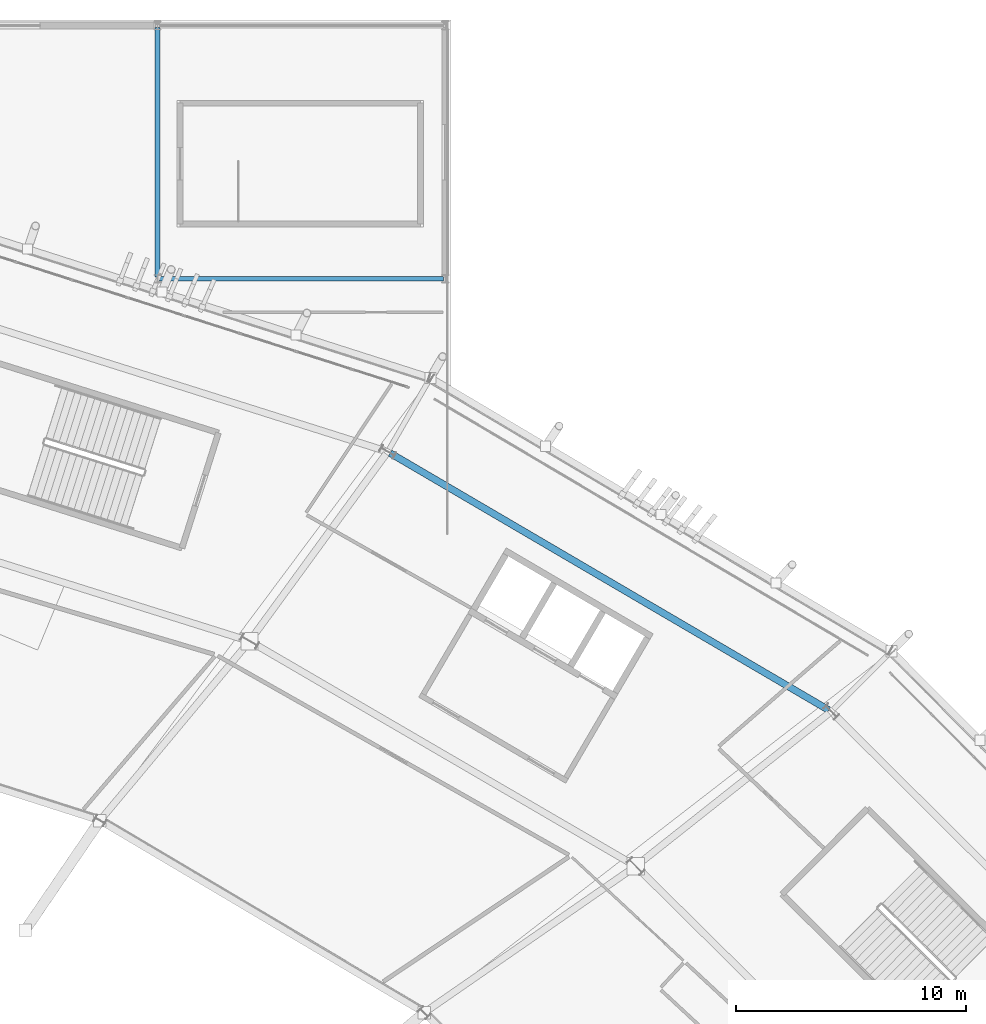
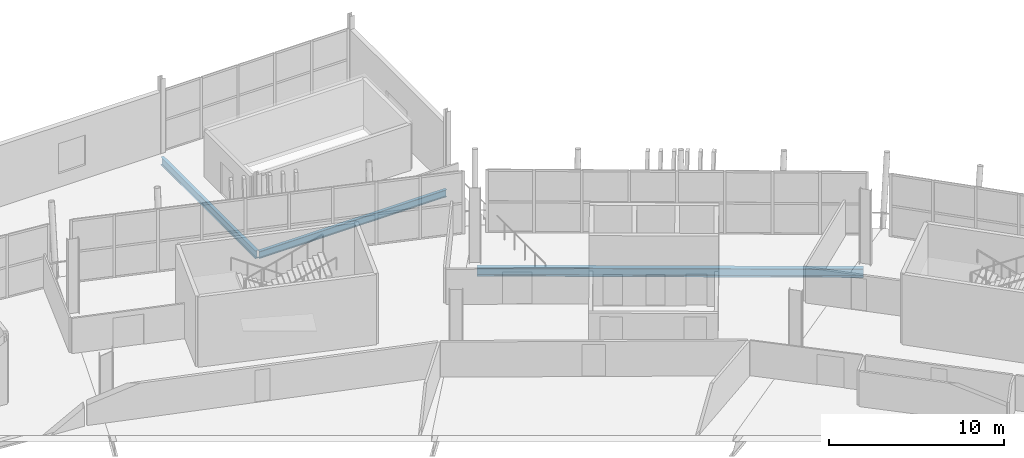
# One storey, part 77 of 168: 3 beams.
"""IFC4 building model written with IfcOpenShell, lengths in metres."""

from ifc_helpers import new_model, si_unit, direction, frame, origin, origin_2d, place, context, subcontext, project, spatial, i_section, extrude, material, material_profile, profile_set, type_object, element, save


model = new_model("IFC4")

# Units and contexts
model_context = context("Model", 3, precision=1e-05, world=origin(), true_north=direction((0.0, 1.0)))
body_context = subcontext(model_context, "Body", "Model", "MODEL_VIEW")
ifc_project = project(units=[si_unit("LENGTHUNIT", "METRE"), si_unit("AREAUNIT", "SQUARE_METRE"), si_unit("VOLUMEUNIT", "CUBIC_METRE"), si_unit("PLANEANGLEUNIT", "RADIAN"), si_unit("MASSUNIT", "GRAM", prefix="KILO")], contexts=[model_context])

# Site, building, storey
site_placement = place(None, origin())
site = spatial("IfcSite", under=ifc_project, at=site_placement, CompositionType="ELEMENT")
building_placement = place(site_placement, origin())
building = spatial("IfcBuilding", under=site, at=building_placement, Name="Zlatoyarsky Gate Stadium", CompositionType="ELEMENT")
storey_placement = place(building_placement, frame((0.0, 0.0, 15.60009765625)))
storey = spatial("IfcBuildingStorey", under=building, at=storey_placement, Name="L03", CompositionType="ELEMENT", Elevation=15.60009765625)

# Beams
ifc_material = material(Name="Steel S355", Category="steel")
ifc_material_profile_1 = material_profile(ifc_material, i_section(OverallWidth=0.199951171875, OverallDepth=0.5, WebThickness=0.01025390625, FlangeThickness=0.01611328125, FilletRadius=0.02099609375, at=origin_2d()), Name="IPE 500")
ifc_profile_set_1 = profile_set([ifc_material_profile_1], Name="Steel S355")
beam_type_1 = type_object("IfcBeamType", Name="STEEL FLOOR BEAM IPE 500", PredefinedType="BEAM", material=ifc_profile_set_1)
beam_1_placement = place(storey_placement, frame((147.580078125, 149.0, -0.530029296875), z_axis=(1.0, 0.0, 0.0), x_axis=(0.0, 1.0, 0.0)))
element("IfcBeam", 1, at=beam_1_placement, inside=storey, type_object=beam_type_1, Name="Beam B-IPE500 BM-L03-WGX-13-P", PredefinedType="BEAM", context=body_context, shape_type="SweptSolid", body=[
    extrude(i_section(OverallWidth=0.199951171875, OverallDepth=0.5, WebThickness=0.01025390625, FlangeThickness=0.01611328125, FilletRadius=0.02099609375, at=origin_2d()), origin(), (0.0, 0.0, 1.0), 12.33984375),
])
ifc_material_profile_2 = material_profile(ifc_material, i_section(OverallWidth=0.2099609375, OverallDepth=0.550048828125, WebThickness=0.010986328125, FlangeThickness=0.01708984375, FilletRadius=0.02392578125, at=origin_2d()), Name="IPE 550")
ifc_profile_set_2 = profile_set([ifc_material_profile_2], Name="Steel S355")
beam_type_2 = type_object("IfcBeamType", Name="STEEL FLOOR BEAM IPE 550", PredefinedType="BEAM", material=ifc_profile_set_2)
beam_2_placement = place(storey_placement, frame((147.5, 149.080078125, -0.55517578125), z_axis=(0.0, 1.0, 0.0), x_axis=(-1.0, 0.0, 0.0)))
element("IfcBeam", 2, at=beam_2_placement, inside=storey, type_object=beam_type_2, Name="Beam B-IPE550 BM-L03-WGY-13-P", PredefinedType="BEAM", context=body_context, shape_type="SweptSolid", body=[
    extrude(i_section(OverallWidth=0.2099609375, OverallDepth=0.550048828125, WebThickness=0.010986328125, FlangeThickness=0.01708984375, FilletRadius=0.02392578125, at=origin_2d()), origin(), (0.0, 0.0, 1.0), 10.83984375),
])
ifc_material_profile_3 = material_profile(ifc_material, i_section(OverallWidth=0.300048828125, OverallDepth=0.60009765625, WebThickness=0.015380859375, FlangeThickness=0.030029296875, FilletRadius=0.027099609375, at=origin_2d()), Name="HEB 600")
ifc_profile_set_3 = profile_set([ifc_material_profile_3], Name="Steel S355")
beam_type_3 = type_object("IfcBeamType", Name="STEEL PRIMARY GIRDER HEB 600", PredefinedType="BEAM", material=ifc_profile_set_3)
beam_3_placement = place(storey_placement, frame((176.657470703125, 130.265380859375, -0.580078125), z_axis=(-0.862854775092, 0.505451913738, 0.0), x_axis=(-0.505451913738, -0.862854775092, 0.0)))
element("IfcBeam", 3, at=beam_3_placement, inside=storey, type_object=beam_type_3, Name="Beam G-HEB600 BM-L03-CRC-03", PredefinedType="BEAM", context=body_context, shape_type="SweptSolid", body=[
    extrude(i_section(OverallWidth=0.300048828125, OverallDepth=0.60009765625, WebThickness=0.015380859375, FlangeThickness=0.030029296875, FilletRadius=0.027099609375, at=origin_2d()), origin(), (0.0, 0.0, 1.0), 22.08251953125),
])

save(model, "model.ifc")
